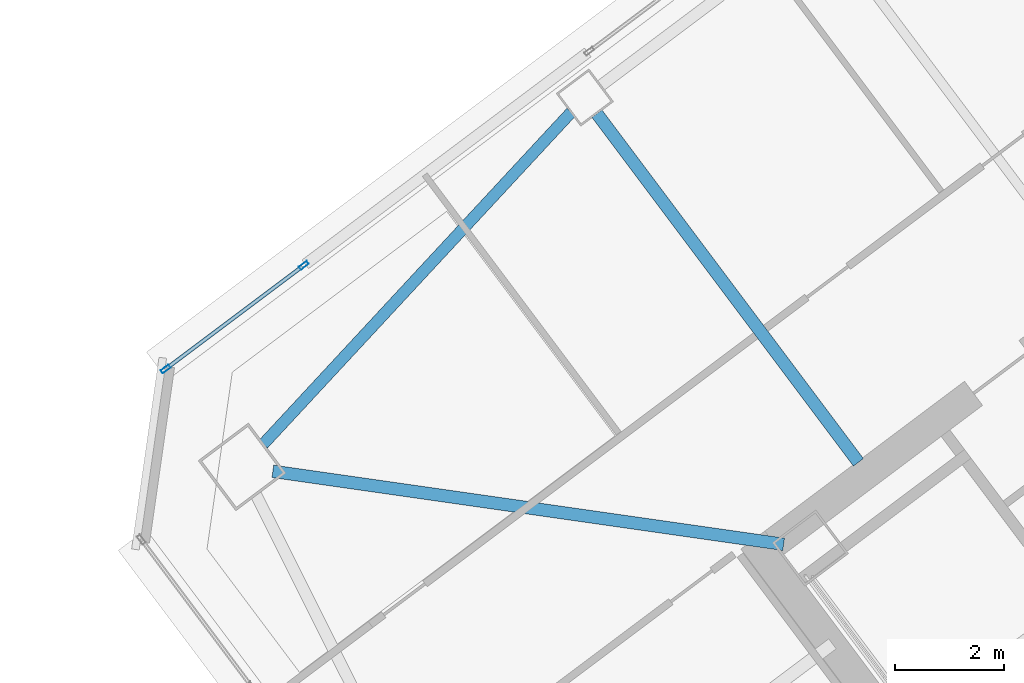
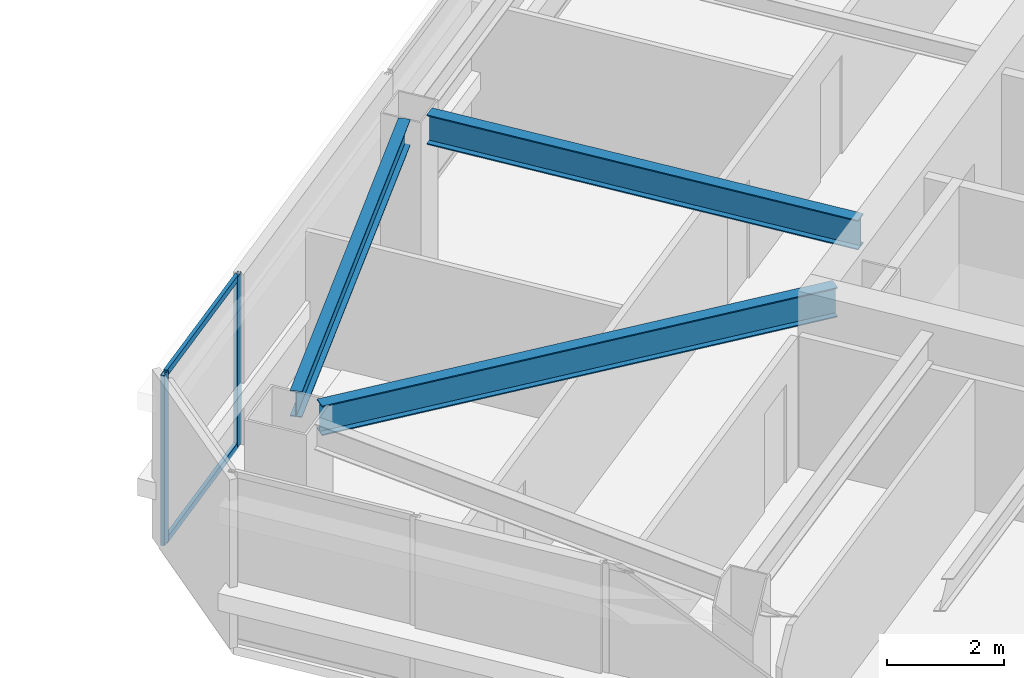
# One storey, part 20 of 41: 4 members, 3 beams, 1 element without a shape of its own.
"""IFC4 building model written with IfcOpenShell, lengths in metres."""

from ifc_helpers import new_model, si_unit, direction, frame, origin, origin_2d, place, context, subcontext, project, spatial, hollow_rectangle, i_section, extrude, material, material_profile, profile_set, type_object, element, aggregate, save


model = new_model("IFC4")

# Units and contexts
model_context = context("Model", 3, precision=1e-05, world=origin(), true_north=direction((0.0, 1.0)))
body_context = subcontext(model_context, "Body", "Model", "MODEL_VIEW")
ifc_project = project(units=[si_unit("LENGTHUNIT", "METRE"), si_unit("AREAUNIT", "SQUARE_METRE"), si_unit("VOLUMEUNIT", "CUBIC_METRE"), si_unit("PLANEANGLEUNIT", "RADIAN"), si_unit("MASSUNIT", "GRAM", prefix="KILO")], contexts=[model_context])

# Site, building, storey
site_placement = place(None, origin())
site = spatial("IfcSite", under=ifc_project, at=site_placement, CompositionType="ELEMENT")
building_placement = place(site_placement, origin())
building = spatial("IfcBuilding", under=site, at=building_placement, Name="Tashvorn Skyway Center", CompositionType="ELEMENT")
storey_placement = place(building_placement, frame((0.0, 0.0, 171.199951171875)))
storey = spatial("IfcBuildingStorey", under=building, at=storey_placement, Name="L46", CompositionType="ELEMENT", Elevation=171.199951171875)

# Beams
ifc_material_1 = material(Name="Steel ASTM A992 Grade 50", Category="steel")
ifc_material_profile_1 = material_profile(ifc_material_1, i_section(OverallWidth=0.22998046875, OverallDepth=0.616943359375, WebThickness=0.01318359375, FlangeThickness=0.022216796875, at=origin_2d()), Name="W24X94")
ifc_profile_set_1 = profile_set([ifc_material_profile_1], Name="Steel ASTM A992 Grade 50")
beam_type_1 = type_object("IfcBeamType", Name="BM-BEAM-W24X94", PredefinedType="BEAM", material=ifc_profile_set_1)
beam_1_placement = place(storey_placement, frame((94.26416015625, 34.8193359375, 3.0615234375), z_axis=(0.989950009213, -0.141417747326, 0.0), x_axis=(0.141417747326, 0.989950009213, 0.0)))
element("IfcBeam", 1, at=beam_1_placement, inside=storey, type_object=beam_type_1, Name="Tower 2 L46 Primary Floor Girder MC-NW", PredefinedType="BEAM", context=body_context, shape_type="SweptSolid", body=[
    extrude(i_section(OverallWidth=0.22998046875, OverallDepth=0.616943359375, WebThickness=0.01318359375, FlangeThickness=0.022216796875, at=origin_2d()), origin(), (0.0, 0.0, 1.0), 9.470947265625),
])
beam_2_placement = place(storey_placement, frame((100.2119140625, 41.384033203125, 3.0615234375), z_axis=(0.599995117266, -0.800003662027, 0.0), x_axis=(0.800003662027, 0.599995117266, 0.0)))
element("IfcBeam", 2, at=beam_2_placement, inside=storey, type_object=beam_type_1, Name="Tower 2 L46 Primary Floor Girder FC-N2", PredefinedType="BEAM", context=body_context, shape_type="SweptSolid", body=[
    extrude(i_section(OverallWidth=0.22998046875, OverallDepth=0.616943359375, WebThickness=0.01318359375, FlangeThickness=0.022216796875, at=origin_2d()), origin(), (0.0, 0.0, 1.0), 8.000244140625),
])
ifc_material_profile_2 = material_profile(ifc_material_1, i_section(OverallWidth=0.2109375, OverallDepth=0.5390625, WebThickness=0.01171875, FlangeThickness=0.018798828125, at=origin_2d()), Name="W21X73")
ifc_profile_set_2 = profile_set([ifc_material_profile_2], Name="Steel ASTM A992 Grade 50")
beam_type_2 = type_object("IfcBeamType", Name="BM-SPANDREL-W21X73", PredefinedType="SPANDREL", material=ifc_profile_set_2)
beam_3_placement = place(storey_placement, frame((99.73828125, 41.40869140625, 3.1005859375), z_axis=(-0.680119661736, -0.733101115618, 0.0), x_axis=(0.733101115618, -0.680119661736, 0.0)))
element("IfcBeam", 3, at=beam_3_placement, inside=storey, type_object=beam_type_2, Name="Tower 2 L46 Spandrel Beam 09", PredefinedType="SPANDREL", context=body_context, shape_type="SweptSolid", body=[
    extrude(i_section(OverallWidth=0.2109375, OverallDepth=0.5390625, WebThickness=0.01171875, FlangeThickness=0.018798828125, at=origin_2d()), origin(), (0.0, 0.0, 1.0), 8.308349609375),
])

# Curtain wall, members
ifc_material_2 = material(Name="Thermally broken bronze-anodized aluminium 6063-T6", Category="aluminium")
curtain_wall_type = type_object("IfcCurtainWallType", Name="CW-CW-Z4", PredefinedType="NOTDEFINED", material=ifc_material_2)
curtain_wall_placement = place(storey_placement, origin())
curtain_wall = element("IfcCurtainWall", 4, at=curtain_wall_placement, inside=storey, type_object=curtain_wall_type, Name="Tower 2 L46 North Unitised Curtain Wall Glazing Group 1", PredefinedType="NOTDEFINED")
ifc_material_profile_3 = material_profile(ifc_material_2, hollow_rectangle(XDim=0.070068359375, YDim=0.179931640625, WallThickness=0.00390625, at=origin_2d()), Name="ALU-MULL-70x180")
ifc_profile_set_3 = profile_set([ifc_material_profile_3], Name="Thermally broken bronze-anodized aluminium 6063-T6")
member_type_1 = type_object("IfcMemberType", Name="CWM-CW-Z4", PredefinedType="MULLION", material=ifc_profile_set_3)
member_1_placement = place(storey_placement, frame((92.2958984375, 36.697021484375, 0.0), z_axis=(0.0, 0.0, 1.0), x_axis=(-0.600000000002, 0.799999999998, 0.0)))
member_1 = element("IfcMember", 5, at=member_1_placement, type_object=member_type_1, Name="CW-Z4 mullion 1", PredefinedType="MULLION", context=body_context, shape_type="SweptSolid", body=[
    extrude(hollow_rectangle(XDim=0.070068359375, YDim=0.179931640625, WallThickness=0.00390625, at=origin_2d()), origin(), (0.0, 0.0, 1.0), 3.550048828125),
])
member_2_placement = place(storey_placement, frame((94.83203125, 38.59912109375, 0.0), z_axis=(0.0, 0.0, 1.0), x_axis=(-0.600000000002, 0.799999999998, 0.0)))
member_2 = element("IfcMember", 6, at=member_2_placement, type_object=member_type_1, Name="CW-Z4 mullion 2", PredefinedType="MULLION", context=body_context, shape_type="SweptSolid", body=[
    extrude(hollow_rectangle(XDim=0.070068359375, YDim=0.179931640625, WallThickness=0.00390625, at=origin_2d()), origin(), (0.0, 0.0, 1.0), 3.550048828125),
])
ifc_material_profile_4 = material_profile(ifc_material_2, hollow_rectangle(XDim=0.070068359375, YDim=0.1298828125, WallThickness=0.00390625, at=origin_2d()), Name="ALU-TRAN-70x130")
ifc_profile_set_4 = profile_set([ifc_material_profile_4], Name="Thermally broken bronze-anodized aluminium 6063-T6")
member_type_2 = type_object("IfcMemberType", Name="CWT-CW-Z4", PredefinedType="USERDEFINED", material=ifc_profile_set_4)
member_3_placement = place(storey_placement, frame((92.323974609375, 36.718017578125, 0.03515625), z_axis=(0.800018901408, 0.599974797295, 0.0), x_axis=(-0.599974797295, 0.800018901408, 0.0)))
member_3 = element("IfcMember", 7, at=member_3_placement, type_object=member_type_2, Name="CW-Z4 transom 1.1", ObjectType="TRANSOM", PredefinedType="USERDEFINED", context=body_context, shape_type="SweptSolid", body=[
    extrude(hollow_rectangle(XDim=0.070068359375, YDim=0.1298828125, WallThickness=0.00390625, at=origin_2d()), origin(), (0.0, 0.0, 1.0), 3.099853515625),
])
member_4_placement = place(storey_placement, frame((92.323974609375, 36.718017578125, 3.51513671875), z_axis=(0.800018901408, 0.599974797295, 0.0), x_axis=(-0.599974797295, 0.800018901408, 0.0)))
member_4 = element("IfcMember", 8, at=member_4_placement, type_object=member_type_2, Name="CW-Z4 transom 1.2", ObjectType="TRANSOM", PredefinedType="USERDEFINED", context=body_context, shape_type="SweptSolid", body=[
    extrude(hollow_rectangle(XDim=0.070068359375, YDim=0.1298828125, WallThickness=0.00390625, at=origin_2d()), origin(), (0.0, 0.0, 1.0), 3.099853515625),
])
aggregate(curtain_wall, [member_1, member_2, member_3, member_4])

save(model, "model.ifc")
